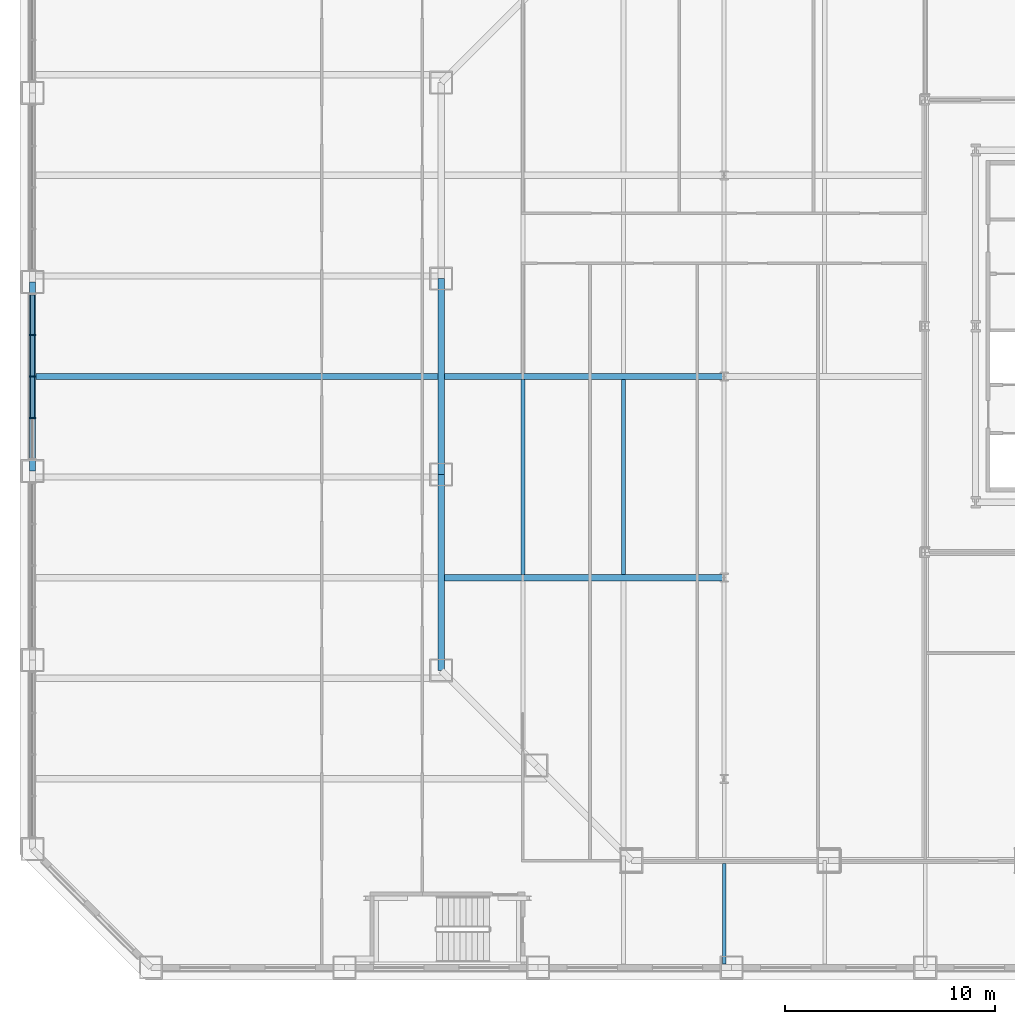
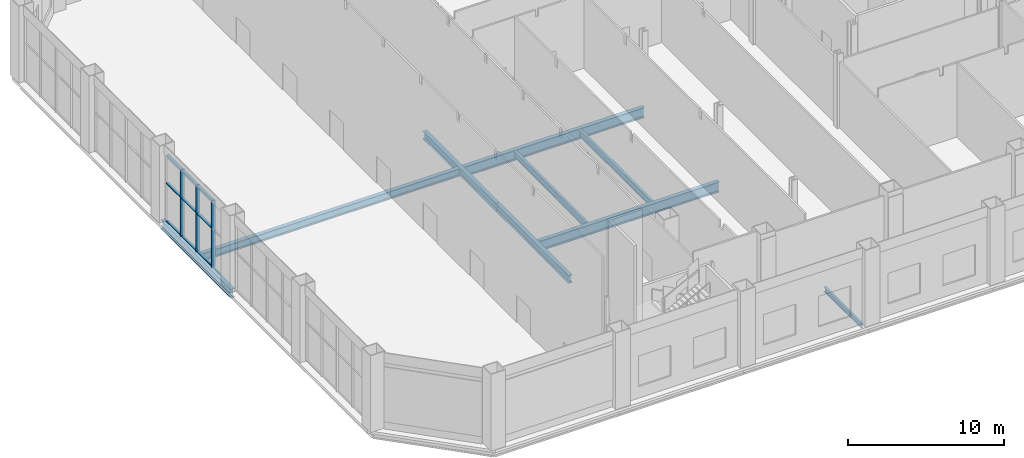
# One storey, part 9 of 31: 12 members, 9 beams, 1 element without a shape of its own.
"""IFC4 building model written with IfcOpenShell, lengths in metres."""

from ifc_helpers import new_model, si_unit, direction, frame, origin, origin_2d, place, context, subcontext, project, spatial, rectangle, i_section, extrude, material, material_profile, profile_set, type_object, element, aggregate, save


model = new_model("IFC4")

# Units and contexts
model_context = context("Model", 3, precision=1e-05, world=origin(), true_north=direction((0.0, 1.0)))
body_context = subcontext(model_context, "Body", "Model", "MODEL_VIEW")
ifc_project = project(units=[si_unit("LENGTHUNIT", "METRE"), si_unit("AREAUNIT", "SQUARE_METRE"), si_unit("VOLUMEUNIT", "CUBIC_METRE"), si_unit("PLANEANGLEUNIT", "RADIAN"), si_unit("MASSUNIT", "GRAM", prefix="KILO")], contexts=[model_context])

# Site, building, storey
site_placement = place(None, origin())
site = spatial("IfcSite", under=ifc_project, at=site_placement, CompositionType="ELEMENT")
building_placement = place(site_placement, origin())
building = spatial("IfcBuilding", under=site, at=building_placement, Name="Cairn Pilgrim Tower", CompositionType="ELEMENT")
storey_placement = place(building_placement, frame((0.0, 0.0, 9.0)))
storey = spatial("IfcBuildingStorey", under=building, at=storey_placement, Name="L01", CompositionType="ELEMENT", Elevation=9.0)

# Curtain wall, members
ifc_material_1 = material(Name="Bronze anodised aluminium with Tinted laminated low-E glass", Category="aluminium")
curtain_wall_type = type_object("IfcCurtainWallType", Name="HALL CW", PredefinedType="NOTDEFINED", material=ifc_material_1)
curtain_wall_placement = place(storey_placement, origin())
curtain_wall = element("IfcCurtainWall", 1, at=curtain_wall_placement, inside=storey, type_object=curtain_wall_type, Name="HALL CW L01 W3-W4", PredefinedType="NOTDEFINED")
ifc_material_2 = material(Name="Bronze anodised aluminium", Category="aluminium")
ifc_material_profile_1 = material_profile(ifc_material_2, rectangle(XDim=0.300048828125, YDim=0.06005859375, at=origin_2d()), Name="HALL MULLION 60x300 BRONZE")
ifc_profile_set_1 = profile_set([ifc_material_profile_1], Name="Bronze anodised aluminium")
member_type_1 = type_object("IfcMemberType", Name="HALL MULLION 60x300 BRONZE", PredefinedType="MULLION", material=ifc_profile_set_1)
member_1_placement = place(storey_placement, frame((-47.39990234375, 1.980224609375, 0.0), z_axis=(0.0, 0.0, 1.0), x_axis=(1.0, 0.0, 0.0)))
member_1 = element("IfcMember", 2, at=member_1_placement, type_object=member_type_1, Name="HCW-W3-W4 mullion 2", PredefinedType="MULLION", context=body_context, shape_type="SweptSolid", body=[
    extrude(rectangle(XDim=0.300048828125, YDim=0.06005859375, at=origin_2d()), origin(), (0.0, 0.0, 1.0), 5.199951171875),
])
member_2_placement = place(storey_placement, frame((-47.39990234375, 0.0, 0.0), z_axis=(0.0, 0.0, 1.0), x_axis=(1.0, 0.0, 0.0)))
member_2 = element("IfcMember", 3, at=member_2_placement, type_object=member_type_1, Name="HCW-W3-W4 mullion 3", PredefinedType="MULLION", context=body_context, shape_type="SweptSolid", body=[
    extrude(rectangle(XDim=0.300048828125, YDim=0.06005859375, at=origin_2d()), origin(), (0.0, 0.0, 1.0), 5.199951171875),
])
member_3_placement = place(storey_placement, frame((-47.39990234375, -1.980224609375, 0.0), z_axis=(0.0, 0.0, 1.0), x_axis=(1.0, 0.0, 0.0)))
member_3 = element("IfcMember", 4, at=member_3_placement, type_object=member_type_1, Name="HCW-W3-W4 mullion 4", PredefinedType="MULLION", context=body_context, shape_type="SweptSolid", body=[
    extrude(rectangle(XDim=0.300048828125, YDim=0.06005859375, at=origin_2d()), origin(), (0.0, 0.0, 1.0), 5.199951171875),
])
ifc_material_profile_2 = material_profile(ifc_material_2, rectangle(XDim=0.199951171875, YDim=0.06005859375, at=origin_2d()), Name="HALL TRANSOM 60x200 BRONZE")
ifc_profile_set_2 = profile_set([ifc_material_profile_2], Name="Bronze anodised aluminium")
member_type_2 = type_object("IfcMemberType", Name="HALL TRANSOM 60x200 BRONZE", PredefinedType="USERDEFINED", material=ifc_profile_set_2)
member_4_placement = place(storey_placement, frame((-47.39990234375, 3.900390625, 0.030029296875), z_axis=(0.0, -1.0, 0.0), x_axis=(1.0, 0.0, 0.0)))
member_4 = element("IfcMember", 5, at=member_4_placement, type_object=member_type_2, Name="HCW-W3-W4 transom 1.1", ObjectType="TRANSOM", PredefinedType="USERDEFINED", context=body_context, shape_type="SweptSolid", body=[
    extrude(rectangle(XDim=0.199951171875, YDim=0.06005859375, at=origin_2d()), origin(), (0.0, 0.0, 1.0), 1.89013671875),
])
member_5_placement = place(storey_placement, frame((-47.39990234375, 3.900390625, 3.0), z_axis=(0.0, -1.0, 0.0), x_axis=(1.0, 0.0, 0.0)))
member_5 = element("IfcMember", 6, at=member_5_placement, type_object=member_type_2, Name="HCW-W3-W4 transom 1.2", ObjectType="TRANSOM", PredefinedType="USERDEFINED", context=body_context, shape_type="SweptSolid", body=[
    extrude(rectangle(XDim=0.199951171875, YDim=0.06005859375, at=origin_2d()), origin(), (0.0, 0.0, 1.0), 1.89013671875),
])
member_6_placement = place(storey_placement, frame((-47.39990234375, 3.900390625, 5.169921875), z_axis=(0.0, -1.0, 0.0), x_axis=(1.0, 0.0, 0.0)))
member_6 = element("IfcMember", 7, at=member_6_placement, type_object=member_type_2, Name="HCW-W3-W4 transom 1.3", ObjectType="TRANSOM", PredefinedType="USERDEFINED", context=body_context, shape_type="SweptSolid", body=[
    extrude(rectangle(XDim=0.199951171875, YDim=0.06005859375, at=origin_2d()), origin(), (0.0, 0.0, 1.0), 1.89013671875),
])
member_7_placement = place(storey_placement, frame((-47.39990234375, 1.9501953125, 0.030029296875), z_axis=(0.0, -1.0, 0.0), x_axis=(1.0, 0.0, 0.0)))
member_7 = element("IfcMember", 8, at=member_7_placement, type_object=member_type_2, Name="HCW-W3-W4 transom 2.1", ObjectType="TRANSOM", PredefinedType="USERDEFINED", context=body_context, shape_type="SweptSolid", body=[
    extrude(rectangle(XDim=0.199951171875, YDim=0.06005859375, at=origin_2d()), origin(), (0.0, 0.0, 1.0), 1.920166015625),
])
member_8_placement = place(storey_placement, frame((-47.39990234375, 1.9501953125, 3.0), z_axis=(0.0, -1.0, 0.0), x_axis=(1.0, 0.0, 0.0)))
member_8 = element("IfcMember", 9, at=member_8_placement, type_object=member_type_2, Name="HCW-W3-W4 transom 2.2", ObjectType="TRANSOM", PredefinedType="USERDEFINED", context=body_context, shape_type="SweptSolid", body=[
    extrude(rectangle(XDim=0.199951171875, YDim=0.06005859375, at=origin_2d()), origin(), (0.0, 0.0, 1.0), 1.920166015625),
])
member_9_placement = place(storey_placement, frame((-47.39990234375, 1.9501953125, 5.169921875), z_axis=(0.0, -1.0, 0.0), x_axis=(1.0, 0.0, 0.0)))
member_9 = element("IfcMember", 10, at=member_9_placement, type_object=member_type_2, Name="HCW-W3-W4 transom 2.3", ObjectType="TRANSOM", PredefinedType="USERDEFINED", context=body_context, shape_type="SweptSolid", body=[
    extrude(rectangle(XDim=0.199951171875, YDim=0.06005859375, at=origin_2d()), origin(), (0.0, 0.0, 1.0), 1.920166015625),
])
member_10_placement = place(storey_placement, frame((-47.39990234375, -0.030029296875, 0.030029296875), z_axis=(0.0, -1.0, 0.0), x_axis=(1.0, 0.0, 0.0)))
member_10 = element("IfcMember", 11, at=member_10_placement, type_object=member_type_2, Name="HCW-W3-W4 transom 3.1", ObjectType="TRANSOM", PredefinedType="USERDEFINED", context=body_context, shape_type="SweptSolid", body=[
    extrude(rectangle(XDim=0.199951171875, YDim=0.06005859375, at=origin_2d()), origin(), (0.0, 0.0, 1.0), 1.920166015625),
])
member_11_placement = place(storey_placement, frame((-47.39990234375, -0.030029296875, 3.0), z_axis=(0.0, -1.0, 0.0), x_axis=(1.0, 0.0, 0.0)))
member_11 = element("IfcMember", 12, at=member_11_placement, type_object=member_type_2, Name="HCW-W3-W4 transom 3.2", ObjectType="TRANSOM", PredefinedType="USERDEFINED", context=body_context, shape_type="SweptSolid", body=[
    extrude(rectangle(XDim=0.199951171875, YDim=0.06005859375, at=origin_2d()), origin(), (0.0, 0.0, 1.0), 1.920166015625),
])
member_12_placement = place(storey_placement, frame((-47.39990234375, -0.030029296875, 5.169921875), z_axis=(0.0, -1.0, 0.0), x_axis=(1.0, 0.0, 0.0)))
member_12 = element("IfcMember", 13, at=member_12_placement, type_object=member_type_2, Name="HCW-W3-W4 transom 3.3", ObjectType="TRANSOM", PredefinedType="USERDEFINED", context=body_context, shape_type="SweptSolid", body=[
    extrude(rectangle(XDim=0.199951171875, YDim=0.06005859375, at=origin_2d()), origin(), (0.0, 0.0, 1.0), 1.920166015625),
])
aggregate(curtain_wall, [member_1, member_2, member_3, member_4, member_5, member_6, member_7, member_8, member_9, member_10, member_11, member_12])

# Beams
ifc_material_3 = material(Name="Structural steel S355J2", Category="steel")
ifc_material_profile_3 = material_profile(ifc_material_3, i_section(OverallWidth=0.300048828125, OverallDepth=0.60009765625, WebThickness=0.015380859375, FlangeThickness=0.030029296875, FilletRadius=0.027099609375, at=origin_2d()), Name="HEB 600")
ifc_profile_set_3 = profile_set([ifc_material_profile_3], Name="Structural steel S355J2")
beam_type_1 = type_object("IfcBeamType", Name="PODIUM BEAM HE 600 B", PredefinedType="BEAM", material=ifc_profile_set_3)
beam_1_placement = place(storey_placement, frame((-47.248046875, 0.0, -0.5), z_axis=(1.0, 0.0, 0.0), x_axis=(0.0, 1.0, 0.0)))
element("IfcBeam", 14, at=beam_1_placement, inside=storey, type_object=beam_type_1, Name="PODIUM BEAM PB-HE600B", PredefinedType="BEAM", context=body_context, shape_type="SweptSolid", body=[
    extrude(i_section(OverallWidth=0.300048828125, OverallDepth=0.60009765625, WebThickness=0.015380859375, FlangeThickness=0.030029296875, FilletRadius=0.027099609375, at=origin_2d()), origin(), (0.0, 0.0, 1.0), 19.196044921875),
])
ifc_material_profile_4 = material_profile(ifc_material_3, i_section(OverallWidth=0.169921875, OverallDepth=0.360107421875, WebThickness=0.008056640625, FlangeThickness=0.0126953125, FilletRadius=0.01806640625, at=origin_2d()), Name="IPE 360")
ifc_profile_set_4 = profile_set([ifc_material_profile_4], Name="Structural steel S355J2")
beam_type_2 = type_object("IfcBeamType", Name="PODIUM BEAM IPE 360", PredefinedType="BEAM", material=ifc_profile_set_4)
beam_2_placement = place(storey_placement, frame((-14.39990234375, -28.048095703125, -0.3798828125), z_axis=(0.0, 1.0, 0.0), x_axis=(-1.0, 0.0, 0.0)))
element("IfcBeam", 15, at=beam_2_placement, inside=storey, type_object=beam_type_2, Name="PODIUM BEAM PB-IPE360", PredefinedType="BEAM", context=body_context, shape_type="SweptSolid", body=[
    extrude(i_section(OverallWidth=0.169921875, OverallDepth=0.360107421875, WebThickness=0.008056640625, FlangeThickness=0.0126953125, FilletRadius=0.01806640625, at=origin_2d()), origin(), (0.0, 0.0, 1.0), 4.796142578125),
])
ifc_material_profile_5 = material_profile(ifc_material_3, i_section(OverallWidth=0.199951171875, OverallDepth=0.5, WebThickness=0.01025390625, FlangeThickness=0.01611328125, FilletRadius=0.02099609375, at=origin_2d()), Name="IPE 500")
ifc_profile_set_5 = profile_set([ifc_material_profile_5], Name="Structural steel S355J2")
beam_type_3 = type_object("IfcBeamType", Name="PODIUM BEAM IPE 500", PredefinedType="BEAM", material=ifc_profile_set_5)
for number, where, z_axis, x_axis, name in (
    (16, (-24.0, -9.447998046875, -0.449951171875), (0.0, 1.0, 0.0), (-1.0, 0.0, 0.0), "PODIUM BEAM PB-IPE500"),
    (17, (-19.199951171875, -9.447998046875, -0.449951171875), (0.0, 1.0, 0.0), (-1.0, 0.0, 0.0), "PODIUM BEAM PB-IPE500"),
):
    element("IfcBeam", number, at=place(storey_placement, frame(where, z_axis=z_axis, x_axis=x_axis)), inside=storey, type_object=beam_type_3, Name=name, PredefinedType="BEAM", context=body_context, shape_type="SweptSolid", body=[
        extrude(i_section(OverallWidth=0.199951171875, OverallDepth=0.5, WebThickness=0.01025390625, FlangeThickness=0.01611328125, FilletRadius=0.02099609375, at=origin_2d()), origin(), (0.0, 0.0, 1.0), 9.2958984375),
    ])
ifc_material_profile_6 = material_profile(ifc_material_3, i_section(OverallWidth=0.300048828125, OverallDepth=0.699951171875, WebThickness=0.01708984375, FlangeThickness=0.031982421875, FilletRadius=0.027099609375, at=origin_2d()), Name="HEB 700")
ifc_profile_set_6 = profile_set([ifc_material_profile_6], Name="Structural steel S355J2")
beam_type_4 = type_object("IfcBeamType", Name="PODIUM EDGE GIRDER HE 700 B", PredefinedType="BEAM", material=ifc_profile_set_6)
beam_3_placement = place(storey_placement, frame((-47.39990234375, 4.51025390625, -0.550048828125), z_axis=(0.0, -1.0, 0.0), x_axis=(1.0, 0.0, 0.0)))
element("IfcBeam", 18, at=beam_3_placement, inside=storey, type_object=beam_type_4, Name="PODIUM EDGE GIRDER PE-HE700B", PredefinedType="BEAM", context=body_context, shape_type="SweptSolid", body=[
    extrude(i_section(OverallWidth=0.300048828125, OverallDepth=0.699951171875, WebThickness=0.01708984375, FlangeThickness=0.031982421875, FilletRadius=0.027099609375, at=origin_2d()), origin(), (0.0, 0.0, 1.0), 9.0205078125),
])
ifc_material_profile_7 = material_profile(ifc_material_3, i_section(OverallWidth=0.300048828125, OverallDepth=0.60009765625, WebThickness=0.015380859375, FlangeThickness=0.030029296875, FilletRadius=0.027099609375, at=origin_2d()), Name="HEB 600")
ifc_profile_set_7 = profile_set([ifc_material_profile_7], Name="Structural steel S355J2")
beam_type_5 = type_object("IfcBeamType", Name="PODIUM GIRDER HE 600 B", PredefinedType="BEAM", material=ifc_profile_set_7)
beam_4_placement = place(storey_placement, frame((-27.89990234375, 4.67578125, -0.5), z_axis=(0.0, -1.0, 0.0), x_axis=(1.0, 0.0, 0.0)))
element("IfcBeam", 19, at=beam_4_placement, inside=storey, type_object=beam_type_5, Name="PODIUM GIRDER PG-HE600B", PredefinedType="BEAM", context=body_context, shape_type="SweptSolid", body=[
    extrude(i_section(OverallWidth=0.300048828125, OverallDepth=0.60009765625, WebThickness=0.015380859375, FlangeThickness=0.030029296875, FilletRadius=0.027099609375, at=origin_2d()), origin(), (0.0, 0.0, 1.0), 9.3515625),
])
beam_5_placement = place(storey_placement, frame((-27.89990234375, -4.67578125, -0.5), z_axis=(0.0, -1.0, 0.0), x_axis=(1.0, 0.0, 0.0)))
element("IfcBeam", 20, at=beam_5_placement, inside=storey, type_object=beam_type_5, Name="PODIUM GIRDER PG-HE600B", PredefinedType="BEAM", context=body_context, shape_type="SweptSolid", body=[
    extrude(i_section(OverallWidth=0.300048828125, OverallDepth=0.60009765625, WebThickness=0.015380859375, FlangeThickness=0.030029296875, FilletRadius=0.027099609375, at=origin_2d()), origin(), (0.0, 0.0, 1.0), 9.351318359375),
])
ifc_material_profile_8 = material_profile(ifc_material_3, i_section(OverallWidth=0.300048828125, OverallDepth=0.800048828125, WebThickness=0.017578125, FlangeThickness=0.032958984375, FilletRadius=0.030029296875, at=origin_2d()), Name="HEB 800")
ifc_profile_set_8 = profile_set([ifc_material_profile_8], Name="Structural steel S355J2")
beam_type_6 = type_object("IfcBeamType", Name="PODIUM GIRDER HE 800 B", PredefinedType="BEAM", material=ifc_profile_set_8)
for number, where, z_axis, x_axis, name in (
    (21, (-27.748046875, -9.60009765625, -0.60009765625), (1.0, 0.0, 0.0), (0.0, 1.0, 0.0), "PODIUM GIRDER PG-HE800B"),
    (22, (-27.748046875, 0.0, -0.60009765625), (1.0, 0.0, 0.0), (0.0, 1.0, 0.0), "PODIUM GIRDER PG-HE800B"),
):
    element("IfcBeam", number, at=place(storey_placement, frame(where, z_axis=z_axis, x_axis=x_axis)), inside=storey, type_object=beam_type_6, Name=name, PredefinedType="BEAM", context=body_context, shape_type="SweptSolid", body=[
        extrude(i_section(OverallWidth=0.300048828125, OverallDepth=0.800048828125, WebThickness=0.017578125, FlangeThickness=0.032958984375, FilletRadius=0.030029296875, at=origin_2d()), origin(), (0.0, 0.0, 1.0), 13.34814453125),
    ])

save(model, "model.ifc")
